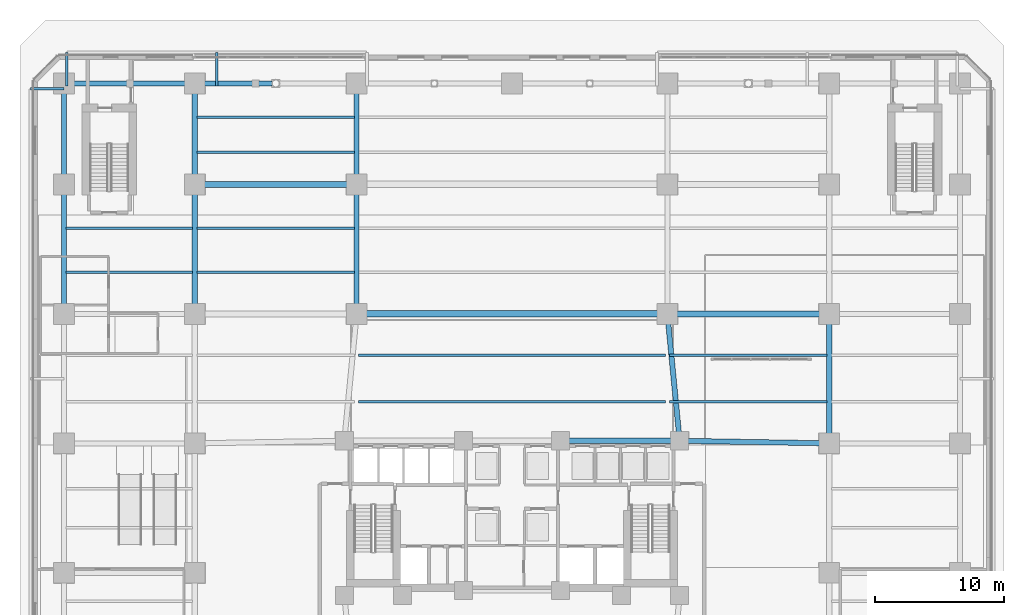
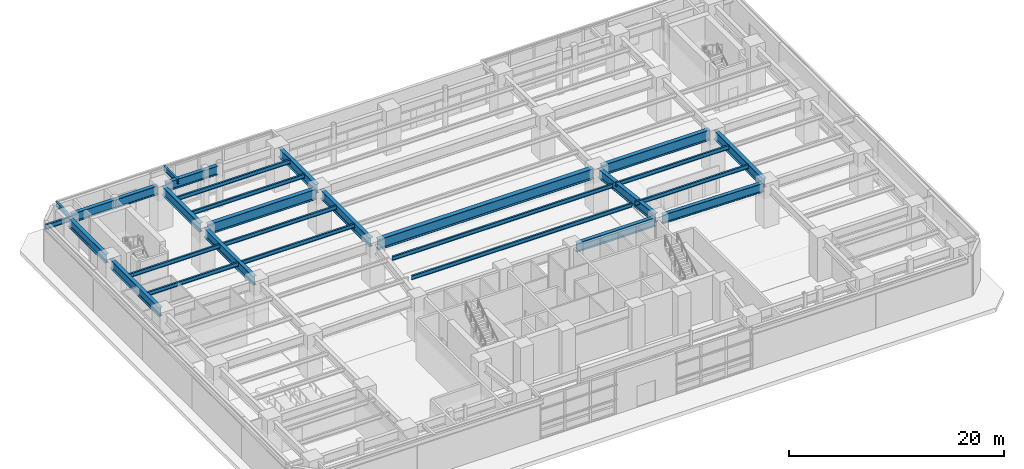
# One storey, part 9 of 26: 28 beams.
"""IFC4 building model written with IfcOpenShell, lengths in metres."""

from ifc_helpers import new_model, si_unit, direction, frame, origin, origin_2d, place, context, subcontext, project, spatial, i_section, extrude, material, material_profile, profile_set, type_object, element, save


model = new_model("IFC4")

# Units and contexts
model_context = context("Model", 3, precision=1e-05, world=origin(), true_north=direction((0.0, 1.0)))
body_context = subcontext(model_context, "Body", "Model", "MODEL_VIEW")
ifc_project = project(units=[si_unit("LENGTHUNIT", "METRE"), si_unit("AREAUNIT", "SQUARE_METRE"), si_unit("VOLUMEUNIT", "CUBIC_METRE"), si_unit("PLANEANGLEUNIT", "RADIAN"), si_unit("MASSUNIT", "GRAM", prefix="KILO")], contexts=[model_context])

# Site, building, storey
site_placement = place(None, origin())
site = spatial("IfcSite", under=ifc_project, at=site_placement, CompositionType="ELEMENT")
building_placement = place(site_placement, origin())
building = spatial("IfcBuilding", under=site, at=building_placement, Name="Quenlor Broadcast Tower", CompositionType="ELEMENT")
storey_placement = place(building_placement, origin())
storey = spatial("IfcBuildingStorey", under=building, at=storey_placement, Name="L00", CompositionType="ELEMENT", Elevation=0.0)

# Beams
ifc_material_1 = material(Name="Steel S355", Category="steel")
ifc_material_profile_1 = material_profile(ifc_material_1, i_section(OverallWidth=0.208984375, OverallDepth=0.532958984375, WebThickness=0.01025390625, FlangeThickness=0.015625, FilletRadius=0.013916015625, at=origin_2d()))
ifc_profile_set_1 = profile_set([ifc_material_profile_1], Name="Steel S355 530UB92.4")
beam_type_1 = type_object("IfcBeamType", Name="Perimeter Spandrel Beam Z1 Steel S355 530UB92.4", PredefinedType="SPANDREL", material=ifc_profile_set_1)
for number, where, z_axis, x_axis, name in (
    (1, (-34.39990234375, 22.5849609375, 4.43359375), (0.0, 1.0, 0.0), (-1.0, 0.0, 0.0), "L00 Podium Lattice Sill Tie NW1"),
    (2, (-22.800048828125, 22.5849609375, 4.43359375), (0.0, 1.0, 0.0), (-1.0, 0.0, 0.0), "L00 Podium Lattice Sill Tie NW3"),
    (3, (-34.5849609375, 22.39990234375, 4.43359375), (-1.0, 0.0, 0.0), (0.0, -1.0, 0.0), "L00 Podium Lattice Sill Tie W2"),
):
    element("IfcBeam", number, at=place(storey_placement, frame(where, z_axis=z_axis, x_axis=x_axis)), inside=storey, type_object=beam_type_1, Name=name, PredefinedType="SPANDREL", context=body_context, shape_type="SweptSolid", body=[
        extrude(i_section(OverallWidth=0.208984375, OverallDepth=0.532958984375, WebThickness=0.01025390625, FlangeThickness=0.015625, FilletRadius=0.013916015625, at=origin_2d()), origin(), (0.0, 0.0, 1.0), 2.610107421875),
    ])
ifc_material_2 = material(Name="Steel S355", Category="steel")
ifc_material_profile_2 = material_profile(ifc_material_2, i_section(OverallWidth=0.39990234375, OverallDepth=1.02392578125, WebThickness=0.01611328125, FlangeThickness=0.031982421875, FilletRadius=0.01611328125, at=origin_2d()))
ifc_profile_set_2 = profile_set([ifc_material_profile_2], Name="Steel S355 1000WB322")
beam_type_2 = type_object("IfcBeamType", Name="Podium Concourse Girder Steel S355 1000WB322", PredefinedType="BEAM", material=ifc_profile_set_2)
beam_1_placement = place(storey_placement, frame((-34.179931640625, 22.800048828125, 4.18798828125), z_axis=(1.0, 0.0, 0.0), x_axis=(0.0, 1.0, 0.0)))
element("IfcBeam", 4, at=beam_1_placement, inside=storey, type_object=beam_type_2, Name="L00 Podium Girder 24", PredefinedType="BEAM", context=body_context, shape_type="SweptSolid", body=[
    extrude(i_section(OverallWidth=0.39990234375, OverallDepth=1.02392578125, WebThickness=0.01611328125, FlangeThickness=0.031982421875, FilletRadius=0.01611328125, at=origin_2d()), origin(), (0.0, 0.0, 1.0), 9.260009765625),
])
beam_2_placement = place(storey_placement, frame((-24.080078125, 22.800048828125, 4.18798828125), z_axis=(1.0, 0.0, 0.0), x_axis=(0.0, 1.0, 0.0)))
element("IfcBeam", 5, at=beam_2_placement, inside=storey, type_object=beam_type_2, Name="L00 Podium Girder 25", PredefinedType="BEAM", context=body_context, shape_type="SweptSolid", body=[
    extrude(i_section(OverallWidth=0.39990234375, OverallDepth=1.02392578125, WebThickness=0.01611328125, FlangeThickness=0.031982421875, FilletRadius=0.01611328125, at=origin_2d()), origin(), (0.0, 0.0, 1.0), 5.545166015625),
])
beam_3_placement = place(storey_placement, frame((-34.60009765625, 5.419921875, 4.18798828125), z_axis=(0.0, 1.0, 0.0), x_axis=(-1.0, 0.0, 0.0)))
element("IfcBeam", 6, at=beam_3_placement, inside=storey, type_object=beam_type_2, Name="L00 Podium Girder 37", PredefinedType="BEAM", context=body_context, shape_type="SweptSolid", body=[
    extrude(i_section(OverallWidth=0.39990234375, OverallDepth=1.02392578125, WebThickness=0.01611328125, FlangeThickness=0.031982421875, FilletRadius=0.01611328125, at=origin_2d()), origin(), (0.0, 0.0, 1.0), 9.16015625),
])
beam_4_placement = place(storey_placement, frame((-34.60009765625, 15.419921875, 4.18798828125), z_axis=(0.0, 1.0, 0.0), x_axis=(-1.0, 0.0, 0.0)))
element("IfcBeam", 7, at=beam_4_placement, inside=storey, type_object=beam_type_2, Name="L00 Podium Girder 38", PredefinedType="BEAM", context=body_context, shape_type="SweptSolid", body=[
    extrude(i_section(OverallWidth=0.39990234375, OverallDepth=1.02392578125, WebThickness=0.01611328125, FlangeThickness=0.031982421875, FilletRadius=0.01611328125, at=origin_2d()), origin(), (0.0, 0.0, 1.0), 6.9599609375),
])
beam_5_placement = place(storey_placement, frame((-24.5, 5.419921875, 4.18798828125), z_axis=(0.0, 1.0, 0.0), x_axis=(-1.0, 0.0, 0.0)))
element("IfcBeam", 8, at=beam_5_placement, inside=storey, type_object=beam_type_2, Name="L00 Podium Girder 42", PredefinedType="BEAM", context=body_context, shape_type="SweptSolid", body=[
    extrude(i_section(OverallWidth=0.39990234375, OverallDepth=1.02392578125, WebThickness=0.01611328125, FlangeThickness=0.031982421875, FilletRadius=0.01611328125, at=origin_2d()), origin(), (0.0, 0.0, 1.0), 9.16015625),
])
beam_6_placement = place(storey_placement, frame((-24.5, 15.419921875, 4.18798828125), z_axis=(0.0, 1.0, 0.0), x_axis=(-1.0, 0.0, 0.0)))
element("IfcBeam", 9, at=beam_6_placement, inside=storey, type_object=beam_type_2, Name="L00 Podium Girder 43", PredefinedType="BEAM", context=body_context, shape_type="SweptSolid", body=[
    extrude(i_section(OverallWidth=0.39990234375, OverallDepth=1.02392578125, WebThickness=0.01611328125, FlangeThickness=0.031982421875, FilletRadius=0.01611328125, at=origin_2d()), origin(), (0.0, 0.0, 1.0), 6.9599609375),
])
for number, where, z_axis, x_axis, name in (
    (10, (24.5, -4.580078125, 4.18798828125), (0.0, 1.0, 0.0), (-1.0, 0.0, 0.0), "L00 Podium Girder 46"),
    (11, (-12.0, 5.419921875, 4.18798828125), (0.0, 1.0, 0.0), (-1.0, 0.0, 0.0), "L00 Podium Girder 54"),
):
    element("IfcBeam", number, at=place(storey_placement, frame(where, z_axis=z_axis, x_axis=x_axis)), inside=storey, type_object=beam_type_2, Name=name, PredefinedType="BEAM", context=body_context, shape_type="SweptSolid", body=[
        extrude(i_section(OverallWidth=0.39990234375, OverallDepth=1.02392578125, WebThickness=0.01611328125, FlangeThickness=0.031982421875, FilletRadius=0.01611328125, at=origin_2d()), origin(), (0.0, 0.0, 1.0), 9.16015625),
    ])
beam_7_placement = place(storey_placement, frame((-12.0, 15.419921875, 4.18798828125), z_axis=(0.0, 1.0, 0.0), x_axis=(-1.0, 0.0, 0.0)))
element("IfcBeam", 12, at=beam_7_placement, inside=storey, type_object=beam_type_2, Name="L00 Podium Girder 55", PredefinedType="BEAM", context=body_context, shape_type="SweptSolid", body=[
    extrude(i_section(OverallWidth=0.39990234375, OverallDepth=1.02392578125, WebThickness=0.01611328125, FlangeThickness=0.031982421875, FilletRadius=0.01611328125, at=origin_2d()), origin(), (0.0, 0.0, 1.0), 6.9599609375),
])
beam_8_placement = place(storey_placement, frame((12.913330078125, -4.421875, 4.18798828125), z_axis=(-0.096489068192, 0.995334044288, 0.0), x_axis=(-0.995334044288, -0.096489068192, 0.0)))
element("IfcBeam", 13, at=beam_8_placement, inside=storey, type_object=beam_type_2, Name="L00 Podium Concourse Girder 2", PredefinedType="BEAM", context=body_context, shape_type="SweptSolid", body=[
    extrude(i_section(OverallWidth=0.39990234375, OverallDepth=1.02392578125, WebThickness=0.01611328125, FlangeThickness=0.031982421875, FilletRadius=0.01611328125, at=origin_2d()), origin(), (0.0, 0.0, 1.0), 9.086181640625),
])
beam_9_placement = place(storey_placement, frame((13.329833984375, -4.806640625, 4.18798828125), z_axis=(0.999850235211, -0.017306274859, 0.0), x_axis=(0.017306274859, 0.999850235211, 0.0)))
element("IfcBeam", 14, at=beam_9_placement, inside=storey, type_object=beam_type_2, Name="L00 Podium Concourse Girder 6", PredefinedType="BEAM", context=body_context, shape_type="SweptSolid", body=[
    extrude(i_section(OverallWidth=0.39990234375, OverallDepth=1.02392578125, WebThickness=0.01611328125, FlangeThickness=0.031982421875, FilletRadius=0.01611328125, at=origin_2d()), origin(), (0.0, 0.0, 1.0), 10.7919921875),
])
beam_10_placement = place(storey_placement, frame((4.1298828125, -4.800048828125, 4.18798828125), z_axis=(1.0, 0.0, 0.0), x_axis=(0.0, 1.0, 0.0)))
element("IfcBeam", 15, at=beam_10_placement, inside=storey, type_object=beam_type_2, Name="L00 Podium Concourse Girder 10", PredefinedType="BEAM", context=body_context, shape_type="SweptSolid", body=[
    extrude(i_section(OverallWidth=0.39990234375, OverallDepth=1.02392578125, WebThickness=0.01611328125, FlangeThickness=0.031982421875, FilletRadius=0.01611328125, at=origin_2d()), origin(), (0.0, 0.0, 1.0), 8.440185546875),
])
ifc_material_3 = material(Name="Steel S355", Category="steel")
ifc_material_profile_3 = material_profile(ifc_material_3, i_section(OverallWidth=0.18994140625, OverallDepth=0.453857421875, WebThickness=0.008544921875, FlangeThickness=0.0126953125, FilletRadius=0.011474609375, at=origin_2d()))
ifc_profile_set_3 = profile_set([ifc_material_profile_3], Name="Steel S355 460UB67.1")
beam_type_3 = type_object("IfcBeamType", Name="Podium Floor Joist Steel S355 460UB67.1", PredefinedType="JOIST", material=ifc_profile_set_3)
beam_11_placement = place(storey_placement, frame((-34.43994140625, 8.199951171875, 4.47314453125), z_axis=(1.0, 0.0, 0.0), x_axis=(0.0, 1.0, 0.0)))
element("IfcBeam", 16, at=beam_11_placement, inside=storey, type_object=beam_type_3, Name="L00 Podium Floor Joist 1", PredefinedType="JOIST", context=body_context, shape_type="SweptSolid", body=[
    extrude(i_section(OverallWidth=0.18994140625, OverallDepth=0.453857421875, WebThickness=0.008544921875, FlangeThickness=0.0126953125, FilletRadius=0.011474609375, at=origin_2d()), origin(), (0.0, 0.0, 1.0), 9.780029296875),
])
beam_12_placement = place(storey_placement, frame((-24.340087890625, 8.199951171875, 4.47314453125), z_axis=(1.0, 0.0, 0.0), x_axis=(0.0, 1.0, 0.0)))
element("IfcBeam", 17, at=beam_12_placement, inside=storey, type_object=beam_type_3, Name="L00 Podium Floor Joist 2", PredefinedType="JOIST", context=body_context, shape_type="SweptSolid", body=[
    extrude(i_section(OverallWidth=0.18994140625, OverallDepth=0.453857421875, WebThickness=0.008544921875, FlangeThickness=0.0126953125, FilletRadius=0.011474609375, at=origin_2d()), origin(), (0.0, 0.0, 1.0), 12.18017578125),
])
beam_13_placement = place(storey_placement, frame((-34.43994140625, 11.60009765625, 4.47314453125), z_axis=(1.0, 0.0, 0.0), x_axis=(0.0, 1.0, 0.0)))
element("IfcBeam", 18, at=beam_13_placement, inside=storey, type_object=beam_type_3, Name="L00 Podium Floor Joist 6", PredefinedType="JOIST", context=body_context, shape_type="SweptSolid", body=[
    extrude(i_section(OverallWidth=0.18994140625, OverallDepth=0.453857421875, WebThickness=0.008544921875, FlangeThickness=0.0126953125, FilletRadius=0.011474609375, at=origin_2d()), origin(), (0.0, 0.0, 1.0), 9.780029296875),
])
for number, where, z_axis, x_axis, name in (
    (19, (-24.340087890625, 11.60009765625, 4.47314453125), (1.0, 0.0, 0.0), (0.0, 1.0, 0.0), "L00 Podium Floor Joist 7"),
    (20, (-24.340087890625, 17.5, 4.47314453125), (1.0, 0.0, 0.0), (0.0, 1.0, 0.0), "L00 Podium Floor Joist 12"),
    (21, (-24.340087890625, 20.199951171875, 4.47314453125), (1.0, 0.0, 0.0), (0.0, 1.0, 0.0), "L00 Podium Floor Joist 17"),
):
    element("IfcBeam", number, at=place(storey_placement, frame(where, z_axis=z_axis, x_axis=x_axis)), inside=storey, type_object=beam_type_3, Name=name, PredefinedType="JOIST", context=body_context, shape_type="SweptSolid", body=[
        extrude(i_section(OverallWidth=0.18994140625, OverallDepth=0.453857421875, WebThickness=0.008544921875, FlangeThickness=0.0126953125, FilletRadius=0.011474609375, at=origin_2d()), origin(), (0.0, 0.0, 1.0), 12.18017578125),
    ])
beam_14_placement = place(storey_placement, frame((-11.840087890625, -1.800048828125, 4.47314453125), z_axis=(1.0, 0.0, 0.0), x_axis=(0.0, 1.0, 0.0)))
element("IfcBeam", 22, at=beam_14_placement, inside=storey, type_object=beam_type_3, Name="L00 Podium Floor Joist 34", PredefinedType="JOIST", context=body_context, shape_type="SweptSolid", body=[
    extrude(i_section(OverallWidth=0.18994140625, OverallDepth=0.453857421875, WebThickness=0.008544921875, FlangeThickness=0.0126953125, FilletRadius=0.011474609375, at=origin_2d()), origin(), (0.0, 0.0, 1.0), 23.68017578125),
])
beam_15_placement = place(storey_placement, frame((12.159912109375, -1.800048828125, 4.47314453125), z_axis=(1.0, 0.0, 0.0), x_axis=(0.0, 1.0, 0.0)))
element("IfcBeam", 23, at=beam_15_placement, inside=storey, type_object=beam_type_3, Name="L00 Podium Floor Joist 35", PredefinedType="JOIST", context=body_context, shape_type="SweptSolid", body=[
    extrude(i_section(OverallWidth=0.18994140625, OverallDepth=0.453857421875, WebThickness=0.008544921875, FlangeThickness=0.0126953125, FilletRadius=0.011474609375, at=origin_2d()), origin(), (0.0, 0.0, 1.0), 12.18017578125),
])
beam_16_placement = place(storey_placement, frame((-11.840087890625, 1.800048828125, 4.47314453125), z_axis=(1.0, 0.0, 0.0), x_axis=(0.0, 1.0, 0.0)))
element("IfcBeam", 24, at=beam_16_placement, inside=storey, type_object=beam_type_3, Name="L00 Podium Floor Joist 37", PredefinedType="JOIST", context=body_context, shape_type="SweptSolid", body=[
    extrude(i_section(OverallWidth=0.18994140625, OverallDepth=0.453857421875, WebThickness=0.008544921875, FlangeThickness=0.0126953125, FilletRadius=0.011474609375, at=origin_2d()), origin(), (0.0, 0.0, 1.0), 23.68017578125),
])
beam_17_placement = place(storey_placement, frame((12.159912109375, 1.800048828125, 4.47314453125), z_axis=(1.0, 0.0, 0.0), x_axis=(0.0, 1.0, 0.0)))
element("IfcBeam", 25, at=beam_17_placement, inside=storey, type_object=beam_type_3, Name="L00 Podium Floor Joist 38", PredefinedType="JOIST", context=body_context, shape_type="SweptSolid", body=[
    extrude(i_section(OverallWidth=0.18994140625, OverallDepth=0.453857421875, WebThickness=0.008544921875, FlangeThickness=0.0126953125, FilletRadius=0.011474609375, at=origin_2d()), origin(), (0.0, 0.0, 1.0), 12.18017578125),
])
ifc_material_4 = material(Name="Steel S355", Category="steel")
ifc_material_profile_4 = material_profile(ifc_material_4, i_section(OverallWidth=0.5, OverallDepth=1.199951171875, WebThickness=0.02001953125, FlangeThickness=0.035888671875, FilletRadius=0.01611328125, at=origin_2d()))
ifc_profile_set_4 = profile_set([ifc_material_profile_4], Name="Steel S355 1200WB455")
beam_type_4 = type_object("IfcBeamType", Name="Podium Long Span Studio Girder Steel S355 1200WB455", PredefinedType="BEAM", material=ifc_profile_set_4)
beam_18_placement = place(storey_placement, frame((-11.580078125, 5.0, 4.10009765625), z_axis=(1.0, 0.0, 0.0), x_axis=(0.0, 1.0, 0.0)))
element("IfcBeam", 26, at=beam_18_placement, inside=storey, type_object=beam_type_4, Name="L00 Podium Girder 16", PredefinedType="BEAM", context=body_context, shape_type="SweptSolid", body=[
    extrude(i_section(OverallWidth=0.5, OverallDepth=1.199951171875, WebThickness=0.02001953125, FlangeThickness=0.035888671875, FilletRadius=0.01611328125, at=origin_2d()), origin(), (0.0, 0.0, 1.0), 23.16015625),
])
ifc_material_5 = material(Name="Steel S355", Category="steel")
ifc_material_profile_5 = material_profile(ifc_material_5, i_section(OverallWidth=0.449951171875, OverallDepth=1.18798828125, WebThickness=0.01806640625, FlangeThickness=0.031982421875, FilletRadius=0.01611328125, at=origin_2d()))
ifc_profile_set_5 = profile_set([ifc_material_profile_5], Name="Steel S355 1200WB392")
beam_type_5 = type_object("IfcBeamType", Name="Podium Secondary Studio Girder Steel S355 1200WB392", PredefinedType="BEAM", material=ifc_profile_set_5)
for number, where, z_axis, x_axis, name in (
    (27, (12.419921875, 5.0, 4.10595703125), (1.0, 0.0, 0.0), (0.0, 1.0, 0.0), "L00 Podium Girder 17"),
    (28, (-24.080078125, 15.0, 4.10595703125), (1.0, 0.0, 0.0), (0.0, 1.0, 0.0), "L00 Podium Girder 20"),
):
    element("IfcBeam", number, at=place(storey_placement, frame(where, z_axis=z_axis, x_axis=x_axis)), inside=storey, type_object=beam_type_5, Name=name, PredefinedType="BEAM", context=body_context, shape_type="SweptSolid", body=[
        extrude(i_section(OverallWidth=0.449951171875, OverallDepth=1.18798828125, WebThickness=0.01806640625, FlangeThickness=0.031982421875, FilletRadius=0.01611328125, at=origin_2d()), origin(), (0.0, 0.0, 1.0), 11.66015625),
    ])

save(model, "model.ifc")
